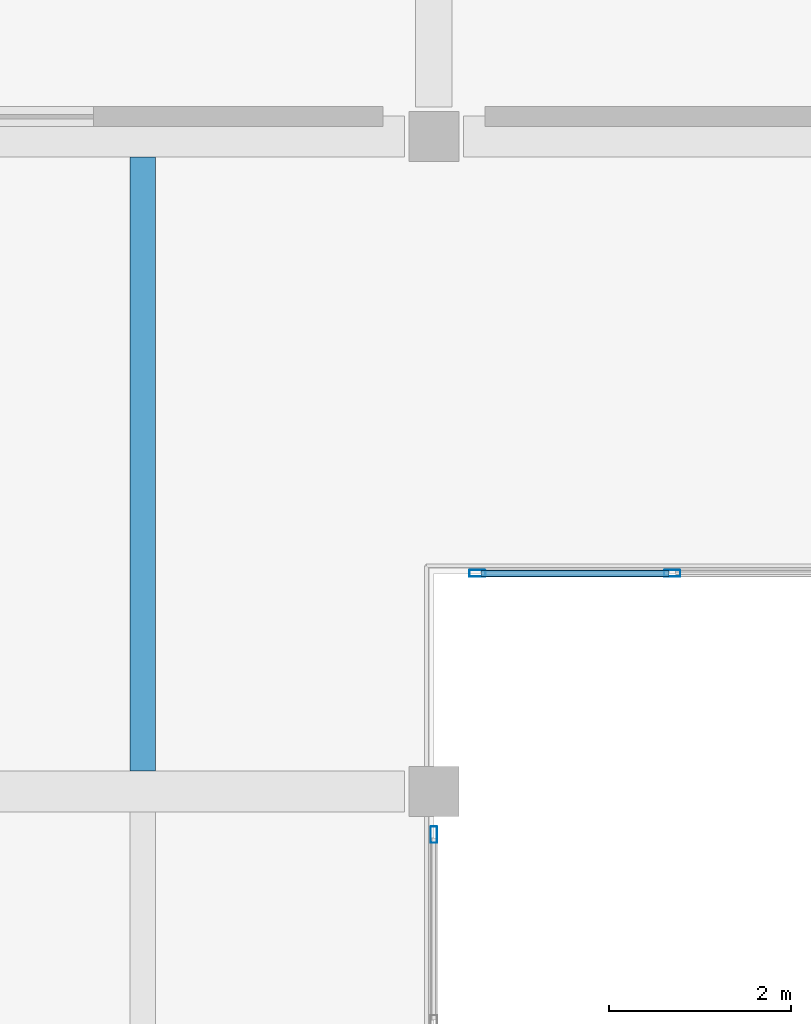
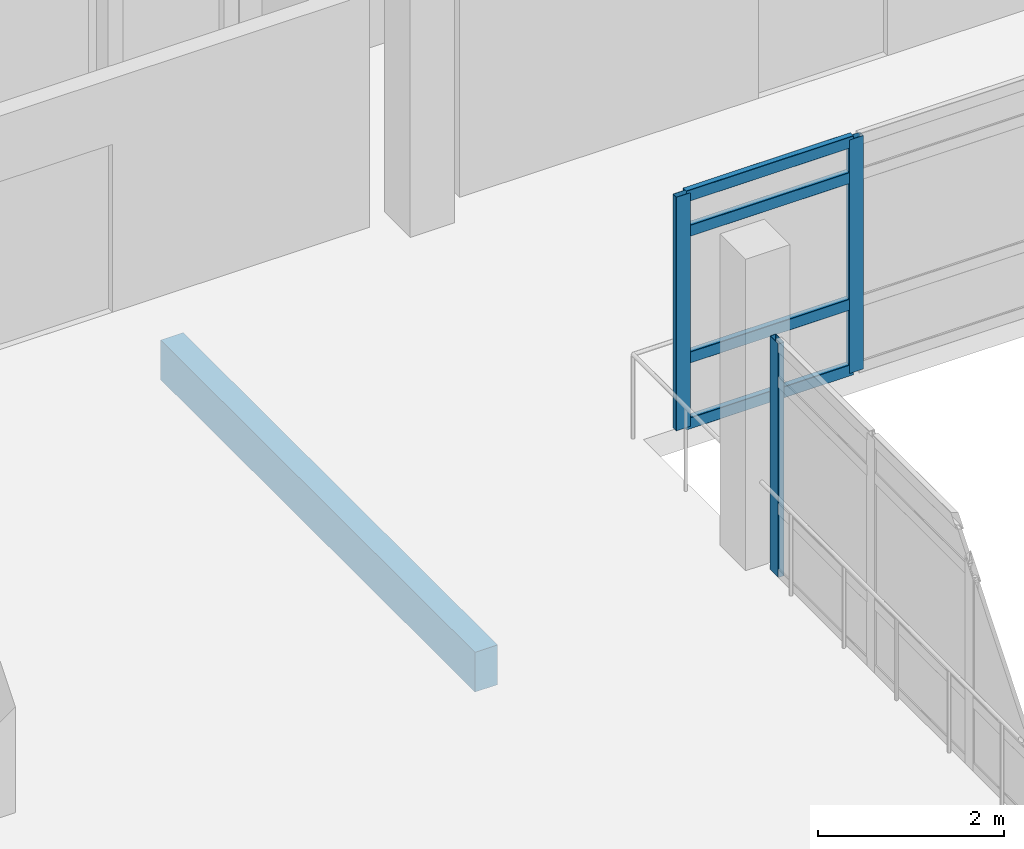
# One storey, part 13 of 72: 7 members, 1 beam, 2 elements without a shape of their own.
"""IFC4 building model written with IfcOpenShell, lengths in metres."""

from ifc_helpers import new_model, si_unit, direction, frame, origin, origin_2d, place, context, subcontext, project, spatial, rectangle, hollow_rectangle, extrude, material, layer, layer_set, material_profile, profile_set, type_object, element, aggregate, save


model = new_model("IFC4")

# Units and contexts
model_context = context("Model", 3, precision=1e-05, world=origin(), true_north=direction((0.0, 1.0)))
body_context = subcontext(model_context, "Body", "Model", "MODEL_VIEW")
ifc_project = project(units=[si_unit("LENGTHUNIT", "METRE"), si_unit("AREAUNIT", "SQUARE_METRE"), si_unit("VOLUMEUNIT", "CUBIC_METRE"), si_unit("PLANEANGLEUNIT", "RADIAN"), si_unit("MASSUNIT", "GRAM", prefix="KILO")], contexts=[model_context])

# Site, building, storey
site_placement = place(None, origin())
site = spatial("IfcSite", under=ifc_project, at=site_placement, CompositionType="ELEMENT")
building_placement = place(site_placement, origin())
building = spatial("IfcBuilding", under=site, at=building_placement, Name="Asteropetra Specialist Clinic", CompositionType="ELEMENT")
storey_placement = place(building_placement, frame((0.0, 0.0, 12.580078125)))
storey = spatial("IfcBuildingStorey", under=building, at=storey_placement, Name="L03", CompositionType="ELEMENT", Elevation=12.580078125)

# Curtain wall, members
ifc_material_1 = material(Name="Aluminium and low-E glass", Category="aluminium")
ifc_layer_1 = layer(ifc_material_1, 0.135009765625)
ifc_layer_set_1 = layer_set([ifc_layer_1], Name="Aluminium and low-E glass")
curtain_wall_type_1 = type_object("IfcCurtainWallType", Name="CW-SYS-09", PredefinedType="USERDEFINED", material=ifc_layer_set_1)
curtain_wall_1_placement = place(storey_placement, origin())
curtain_wall_1 = element("IfcCurtainWall", 1, at=curtain_wall_1_placement, inside=storey, type_object=curtain_wall_type_1, Name="Curtain Wall CW-084", ObjectType="STICK GLAZED COLONNADE", PredefinedType="USERDEFINED")
ifc_material_2 = material(Name="Aluminium 6063-T6", Category="aluminium")
ifc_material_profile_1 = material_profile(ifc_material_2, hollow_rectangle(XDim=0.074951171875, YDim=0.179931640625, WallThickness=0.00390625, InnerFilletRadius=0.00390625, OuterFilletRadius=0.008056640625, at=origin_2d()), Name="MUL 180x75x4.0")
ifc_profile_set_1 = profile_set([ifc_material_profile_1], Name="Aluminium 6063-T6")
member_type_1 = type_object("IfcMemberType", Name="CWM-180x75", PredefinedType="MULLION", material=ifc_profile_set_1)
member_1_placement = place(storey_placement, frame((127.419921875, 36.0, 0.0), z_axis=(0.0, 0.0, 1.0), x_axis=(0.0, -1.0, 0.0)))
member_1 = element("IfcMember", 2, at=member_1_placement, type_object=member_type_1, Name="CW-084 mullion 4", PredefinedType="MULLION", context=body_context, shape_type="SweptSolid", body=[
    extrude(hollow_rectangle(XDim=0.074951171875, YDim=0.179931640625, WallThickness=0.00390625, InnerFilletRadius=0.00390625, OuterFilletRadius=0.008056640625, at=origin_2d()), origin(), (0.0, 0.0, 1.0), 3.059814453125),
])
member_2_placement = place(storey_placement, frame((125.277587890625, 36.0, 0.0), z_axis=(0.0, 0.0, 1.0), x_axis=(0.0, -1.0, 0.0)))
member_2 = element("IfcMember", 3, at=member_2_placement, type_object=member_type_1, Name="CW-084 mullion 5", PredefinedType="MULLION", context=body_context, shape_type="SweptSolid", body=[
    extrude(hollow_rectangle(XDim=0.074951171875, YDim=0.179931640625, WallThickness=0.00390625, InnerFilletRadius=0.00390625, OuterFilletRadius=0.008056640625, at=origin_2d()), origin(), (0.0, 0.0, 1.0), 3.059814453125),
])

# Curtain wall, member
ifc_material_3 = material(Name="Aluminium and low-E glass", Category="aluminium")
ifc_layer_2 = layer(ifc_material_3, 0.14990234375)
ifc_layer_set_2 = layer_set([ifc_layer_2], Name="Aluminium and low-E glass")
curtain_wall_type_2 = type_object("IfcCurtainWallType", Name="CW-SYS-11", PredefinedType="USERDEFINED", material=ifc_layer_set_2)
curtain_wall_2_placement = place(storey_placement, origin())
curtain_wall_2 = element("IfcCurtainWall", 4, at=curtain_wall_2_placement, inside=storey, type_object=curtain_wall_type_2, Name="Curtain Wall CW-087", ObjectType="STICK GLAZED COLONNADE", PredefinedType="USERDEFINED")
member_3_placement = place(storey_placement, frame((124.800048828125, 33.12744140625, 0.0), z_axis=(0.0, 0.0, 1.0), x_axis=(1.0, 0.0, 0.0)))
member_3 = element("IfcMember", 5, at=member_3_placement, type_object=member_type_1, Name="CW-087 mullion 1", PredefinedType="MULLION", context=body_context, shape_type="SweptSolid", body=[
    extrude(hollow_rectangle(XDim=0.074951171875, YDim=0.179931640625, WallThickness=0.00390625, InnerFilletRadius=0.00390625, OuterFilletRadius=0.008056640625, at=origin_2d()), origin(), (0.0, 0.0, 1.0), 3.059814453125),
])
aggregate(curtain_wall_2, [member_3])

# Member
ifc_material_4 = material(Name="Aluminium 6063-T6", Category="aluminium")
ifc_material_profile_2 = material_profile(ifc_material_4, hollow_rectangle(XDim=0.074951171875, YDim=0.14990234375, WallThickness=0.00390625, InnerFilletRadius=0.00390625, OuterFilletRadius=0.008056640625, at=origin_2d()), Name="TRN 150x75x4.0")
ifc_profile_set_2 = profile_set([ifc_material_profile_2], Name="Aluminium 6063-T6")
member_type_2 = type_object("IfcMemberType", Name="CWT-150x75", PredefinedType="USERDEFINED", material=ifc_profile_set_2)
member_4_placement = place(storey_placement, frame((127.382568359375, 36.0, 0.037353515625), z_axis=(-1.0, 0.0, 0.0), x_axis=(0.0, -1.0, 0.0)))
member_4 = element("IfcMember", 6, at=member_4_placement, type_object=member_type_2, Name="CW-084 transom 4.1", ObjectType="TRANSOM", PredefinedType="USERDEFINED", context=body_context, shape_type="SweptSolid", body=[
    extrude(hollow_rectangle(XDim=0.074951171875, YDim=0.14990234375, WallThickness=0.00390625, InnerFilletRadius=0.00390625, OuterFilletRadius=0.008056640625, at=origin_2d()), origin(), (0.0, 0.0, 1.0), 2.067626953125),
])

member_5_placement = place(storey_placement, frame((127.382568359375, 36.0, 0.89990234375), z_axis=(-1.0, 0.0, 0.0), x_axis=(0.0, -1.0, 0.0)))
member_5 = element("IfcMember", 7, at=member_5_placement, type_object=member_type_2, Name="CW-084 transom 4.2", ObjectType="TRANSOM", PredefinedType="USERDEFINED", context=body_context, shape_type="SweptSolid", body=[
    extrude(hollow_rectangle(XDim=0.074951171875, YDim=0.14990234375, WallThickness=0.00390625, InnerFilletRadius=0.00390625, OuterFilletRadius=0.008056640625, at=origin_2d()), origin(), (0.0, 0.0, 1.0), 2.067626953125),
])

member_6_placement = place(storey_placement, frame((127.382568359375, 36.0, 2.559814453125), z_axis=(-1.0, 0.0, 0.0), x_axis=(0.0, -1.0, 0.0)))
member_6 = element("IfcMember", 8, at=member_6_placement, type_object=member_type_2, Name="CW-084 transom 4.3", ObjectType="TRANSOM", PredefinedType="USERDEFINED", context=body_context, shape_type="SweptSolid", body=[
    extrude(hollow_rectangle(XDim=0.074951171875, YDim=0.14990234375, WallThickness=0.00390625, InnerFilletRadius=0.00390625, OuterFilletRadius=0.008056640625, at=origin_2d()), origin(), (0.0, 0.0, 1.0), 2.067626953125),
])

member_7_placement = place(storey_placement, frame((127.382568359375, 36.0, 3.0224609375), z_axis=(-1.0, 0.0, 0.0), x_axis=(0.0, -1.0, 0.0)))
member_7 = element("IfcMember", 9, at=member_7_placement, type_object=member_type_2, Name="CW-084 transom 4.4", ObjectType="TRANSOM", PredefinedType="USERDEFINED", context=body_context, shape_type="SweptSolid", body=[
    extrude(hollow_rectangle(XDim=0.074951171875, YDim=0.14990234375, WallThickness=0.00390625, InnerFilletRadius=0.00390625, OuterFilletRadius=0.008056640625, at=origin_2d()), origin(), (0.0, 0.0, 1.0), 2.067626953125),
])

aggregate(curtain_wall_1, [member_1, member_2, member_4, member_5, member_6, member_7])

# Beam
ifc_material_5 = material(Name="Concrete C35/45", Category="concrete")
ifc_material_profile_3 = material_profile(ifc_material_5, rectangle(XDim=0.280029296875, YDim=0.52001953125, at=origin_2d()), Name="RCJ 280x520")
ifc_profile_set_3 = profile_set([ifc_material_profile_3], Name="Concrete C35/45")
beam_type = type_object("IfcBeamType", Name="JST-RC280x520", PredefinedType="JOIST", material=ifc_profile_set_3)
beam_placement = place(storey_placement, frame((121.60009765625, 33.824951171875, -0.56005859375), z_axis=(0.0, 1.0, 0.0), x_axis=(-1.0, 0.0, 0.0)))
element("IfcBeam", 10, at=beam_placement, inside=storey, type_object=beam_type, Name="Joist JJST01-1550", PredefinedType="JOIST", context=body_context, shape_type="SweptSolid", body=[
    extrude(rectangle(XDim=0.280029296875, YDim=0.52001953125, at=origin_2d()), origin(), (0.0, 0.0, 1.0), 6.75),
])

save(model, "model.ifc")
